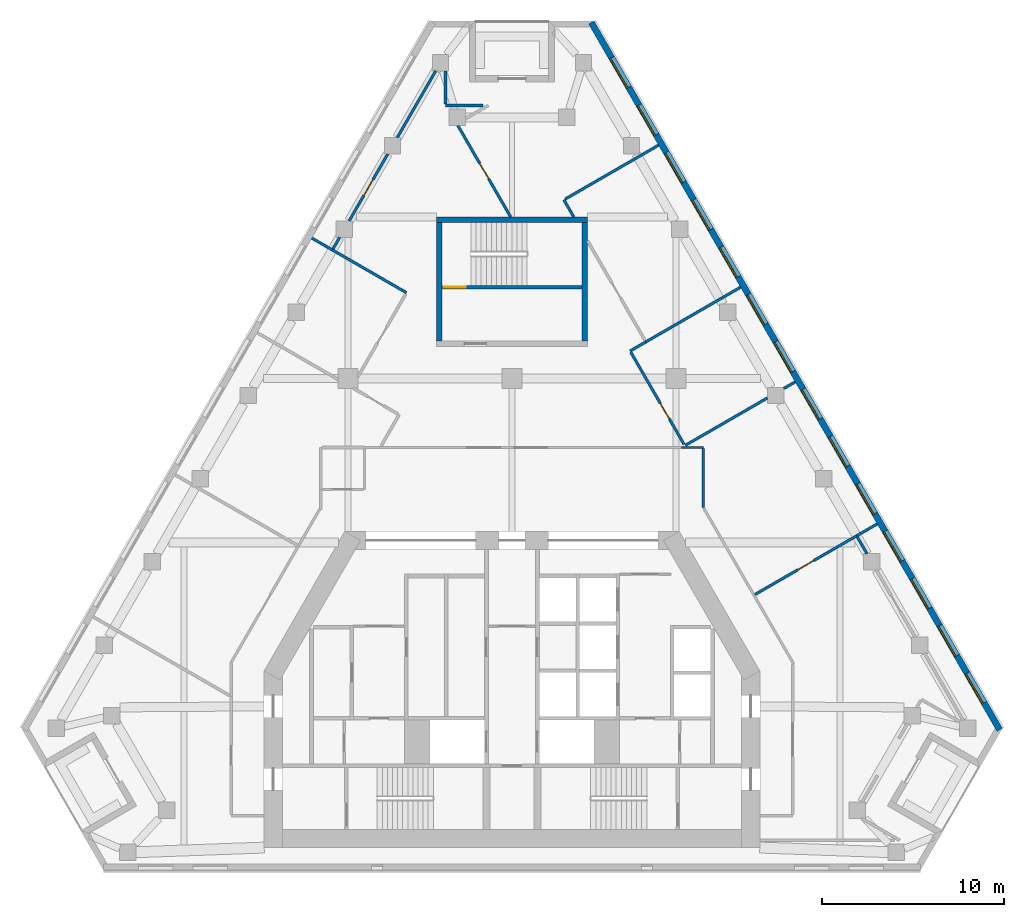
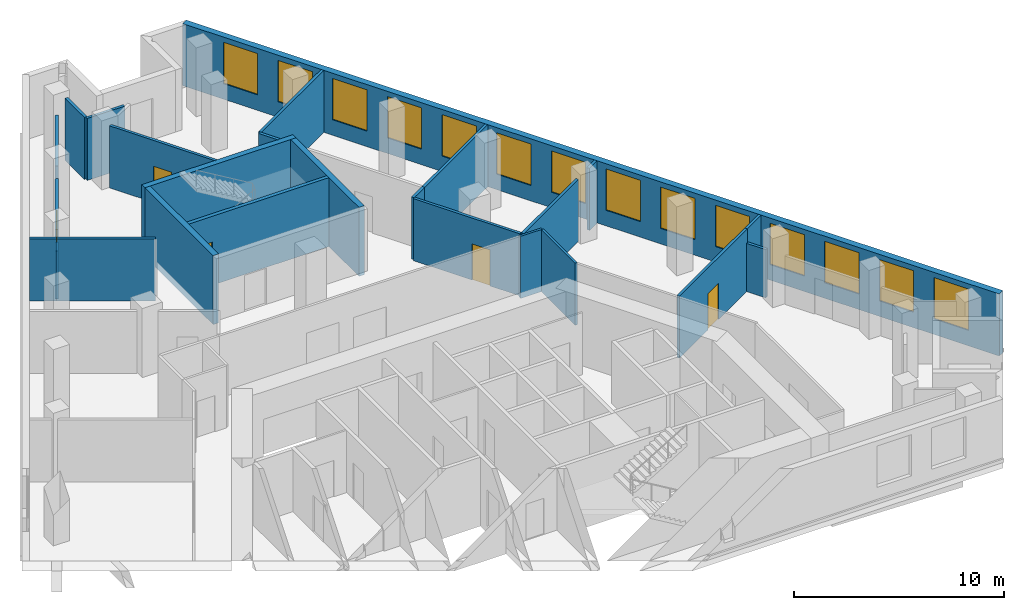
# One storey, part 6 of 8: 25 walls, 14 windows, 5 doors, 19 openings.
"""IFC4 building model written with IfcOpenShell, lengths in metres."""

from ifc_helpers import new_model, si_unit, direction, frame, frame_2d, origin, place, context, subcontext, project, spatial, rectangle, extrude, material, layer, layer_set, type_object, element, fill, save


model = new_model("IFC4")

# Units and contexts
model_context = context("Model", 3, precision=1e-05, world=origin(), true_north=direction((0.0, 1.0)))
body_context = subcontext(model_context, "Body", "Model", "MODEL_VIEW")
ifc_project = project(units=[si_unit("LENGTHUNIT", "METRE"), si_unit("AREAUNIT", "SQUARE_METRE"), si_unit("VOLUMEUNIT", "CUBIC_METRE"), si_unit("PLANEANGLEUNIT", "RADIAN"), si_unit("MASSUNIT", "GRAM", prefix="KILO")], contexts=[model_context])

# Site, building, storey
site_placement = place(None, origin())
site = spatial("IfcSite", under=ifc_project, at=site_placement, CompositionType="ELEMENT")
building_placement = place(site_placement, origin())
building = spatial("IfcBuilding", under=site, at=building_placement, Name="Fogline Exchange Tower", CompositionType="ELEMENT")
storey_placement = place(building_placement, frame((0.0, 0.0, 227.5)))
storey = spatial("IfcBuildingStorey", under=building, at=storey_placement, Name="L51", CompositionType="ELEMENT", Elevation=227.5)

# Wall, opening, door
ifc_material_1 = material(Name="Concrete C40", Category="concrete")
ifc_layer_1 = layer(ifc_material_1, 0.199951171875)
ifc_layer_set_1 = layer_set([ifc_layer_1], Name="CW20R")
wall_type_1 = type_object("IfcWallType", Name="CW20R", PredefinedType="SOLIDWALL", material=ifc_layer_set_1)
wall_1_placement = place(storey_placement, frame((-3.85009765625, 32.007080078125, -0.39990234375), z_axis=(0.0, 0.0, 1.0), x_axis=(1.0, 0.0, 0.0)))
wall_1 = element("IfcWall", 1, at=wall_1_placement, inside=storey, type_object=wall_type_1, Name="Stair enclosure wall ST3", PredefinedType="SOLIDWALL", context=body_context, shape_type="SweptSolid", body=[
    extrude(rectangle(XDim=7.7001953125, YDim=0.199951171875, at=frame_2d((3.85009765625, 0.0))), origin(), (0.0, 0.0, 1.0), 4.0),
])
opening_1_placement = place(wall_1_placement, frame((0.10009765625, 0.0, 0.39990234375)))
opening_1 = element("IfcOpeningElement", 2, at=opening_1_placement, cuts=wall_1, Name="Opening T16-C023", PredefinedType="OPENING", context=body_context, shape_type="SweptSolid", body=[
    extrude(rectangle(XDim=1.199951171875, YDim=2.10009765625, at=frame_2d((0.60009765625, 1.050048828125))), frame((0.0, 0.10986328125, 0.0), z_axis=(0.0, -1.0, 0.0), x_axis=(1.0, 0.0, 0.0)), (0.0, 0.0, 1.0), 0.219970703125),
])
ifc_material_2 = material(Name="Steel and timber fire door", Category="steel")
door_type_1 = type_object("IfcDoorType", Name="D-ST1", OperationType="SINGLE_SWING_LEFT", PredefinedType="DOOR", material=ifc_material_2)
door_1_placement = place(opening_1_placement, origin())
door_1 = element("IfcDoor", 3, at=door_1_placement, inside=storey, type_object=door_type_1, Name="Stair door ST3", OperationType="SINGLE_SWING_LEFT", OverallHeight=2.10009765625, OverallWidth=1.199951171875, PredefinedType="DOOR", context=body_context, shape_type="SweptSolid", body=[
    extrude(rectangle(XDim=1.199951171875, YDim=2.10009765625, at=frame_2d((0.60009765625, 1.050048828125))), frame((0.0, 0.02490234375, 0.0), z_axis=(0.0, -1.0, 0.0), x_axis=(1.0, 0.0, 0.0)), (0.0, 0.0, 1.0), 0.050048828125),
])
fill(opening_1, door_1)

# Walls
ifc_layer_2 = layer(ifc_material_1, 0.300048828125)
ifc_layer_set_2 = layer_set([ifc_layer_2], Name="CW30")
wall_type_2 = type_object("IfcWallType", Name="CW30", PredefinedType="SOLIDWALL", material=ifc_layer_set_2)
wall_2_placement = place(storey_placement, frame((-4.14990234375, 35.70703125, -0.39990234375), z_axis=(0.0, 0.0, 1.0), x_axis=(1.0, 0.0, 0.0)))
element("IfcWall", 4, at=wall_2_placement, inside=storey, type_object=wall_type_2, Name="Stair enclosure wall ST3", PredefinedType="SOLIDWALL", context=body_context, shape_type="SweptSolid", body=[
    extrude(rectangle(XDim=8.2998046875, YDim=0.300048828125, at=frame_2d((4.14990234375, 0.0))), origin(), (0.0, 0.0, 1.0), 4.0),
])
for number, where, z_axis, x_axis, name in (
    (5, (-4.0, 29.056884765625, -0.39990234375), (0.0, 0.0, 1.0), (0.0, 1.0, 0.0), "Stair enclosure wall ST3"),
    (6, (4.0, 29.056884765625, -0.39990234375), (0.0, 0.0, 1.0), (0.0, 1.0, 0.0), "Stair enclosure wall ST3"),
):
    element("IfcWall", number, at=place(storey_placement, frame(where, z_axis=z_axis, x_axis=x_axis)), inside=storey, type_object=wall_type_2, Name=name, PredefinedType="SOLIDWALL", context=body_context, shape_type="SweptSolid", body=[
        extrude(rectangle(XDim=6.5, YDim=0.300048828125, at=frame_2d((3.25, 0.0))), origin(), (0.0, 0.0, 1.0), 4.0),
    ])

# Wall, openings, windows
ifc_material_3 = material(Name="Brick masonry", Category="masonry")
ifc_layer_3 = layer(ifc_material_3, 0.340087890625)
ifc_layer_set_3 = layer_set([ifc_layer_3], Name="FW1")
wall_type_3 = type_object("IfcWallType", Name="FW1", PredefinedType="SOLIDWALL", material=ifc_layer_set_3)
wall_3_placement = place(storey_placement, frame((26.766845703125, 7.709228515625, 0.0), z_axis=(0.0, 0.0, 1.0), x_axis=(-0.499997926022, 0.866026601193, 0.0)))
wall_3 = element("IfcWall", 7, at=wall_3_placement, inside=storey, type_object=wall_type_3, Name="Brick wall L51 E", PredefinedType="SOLIDWALL", context=body_context, shape_type="SweptSolid", body=[
    extrude(rectangle(XDim=44.828369140625, YDim=0.340087890625, at=frame_2d((22.4140625, 0.0))), origin(), (0.0, 0.0, 1.0), 3.60009765625),
])
opening_2_placement = place(wall_3_placement, frame((1.70703125, 0.0, 0.89990234375)))
opening_2 = element("IfcOpeningElement", 8, at=opening_2_placement, cuts=wall_3, Name="Opening W1", PredefinedType="OPENING", context=body_context, shape_type="SweptSolid", body=[
    extrude(rectangle(XDim=1.885009765625, YDim=2.39990234375, at=frame_2d((0.9423828125, 1.199951171875))), frame((0.0, 0.18017578125, 0.0), z_axis=(0.0, -1.0, 0.0), x_axis=(1.0, 0.0, 0.0)), (0.0, 0.0, 1.0), 0.360107421875),
])
opening_3_placement = place(wall_3_placement, frame((4.70703125, 0.0, 0.89990234375)))
opening_3 = element("IfcOpeningElement", 9, at=opening_3_placement, cuts=wall_3, Name="Opening W1", PredefinedType="OPENING", context=body_context, shape_type="SweptSolid", body=[
    extrude(rectangle(XDim=1.885009765625, YDim=2.39990234375, at=frame_2d((0.9423828125, 1.199951171875))), frame((0.0, 0.18017578125, 0.0), z_axis=(0.0, -1.0, 0.0), x_axis=(1.0, 0.0, 0.0)), (0.0, 0.0, 1.0), 0.360107421875),
])
opening_4_placement = place(wall_3_placement, frame((7.70703125, 0.0, 0.89990234375)))
opening_4 = element("IfcOpeningElement", 10, at=opening_4_placement, cuts=wall_3, Name="Opening W1", PredefinedType="OPENING", context=body_context, shape_type="SweptSolid", body=[
    extrude(rectangle(XDim=1.885009765625, YDim=2.39990234375, at=frame_2d((0.9423828125, 1.199951171875))), frame((0.0, 0.18017578125, 0.0), z_axis=(0.0, -1.0, 0.0), x_axis=(1.0, 0.0, 0.0)), (0.0, 0.0, 1.0), 0.360107421875),
])
opening_5_placement = place(wall_3_placement, frame((10.70703125, 0.0, 0.89990234375)))
opening_5 = element("IfcOpeningElement", 11, at=opening_5_placement, cuts=wall_3, Name="Opening W1", PredefinedType="OPENING", context=body_context, shape_type="SweptSolid", body=[
    extrude(rectangle(XDim=1.885009765625, YDim=2.39990234375, at=frame_2d((0.9423828125, 1.199951171875))), frame((0.0, 0.18017578125, 0.0), z_axis=(0.0, -1.0, 0.0), x_axis=(1.0, 0.0, 0.0)), (0.0, 0.0, 1.0), 0.360107421875),
])
opening_6_placement = place(wall_3_placement, frame((13.70703125, 0.0, 0.89990234375)))
opening_6 = element("IfcOpeningElement", 12, at=opening_6_placement, cuts=wall_3, Name="Opening W1", PredefinedType="OPENING", context=body_context, shape_type="SweptSolid", body=[
    extrude(rectangle(XDim=1.885009765625, YDim=2.39990234375, at=frame_2d((0.9423828125, 1.199951171875))), frame((0.0, 0.18017578125, 0.0), z_axis=(0.0, -1.0, 0.0), x_axis=(1.0, 0.0, 0.0)), (0.0, 0.0, 1.0), 0.360107421875),
])
opening_7_placement = place(wall_3_placement, frame((16.70703125, 0.0, 0.89990234375)))
opening_7 = element("IfcOpeningElement", 13, at=opening_7_placement, cuts=wall_3, Name="Opening W1", PredefinedType="OPENING", context=body_context, shape_type="SweptSolid", body=[
    extrude(rectangle(XDim=1.885009765625, YDim=2.39990234375, at=frame_2d((0.9423828125, 1.199951171875))), frame((0.0, 0.18017578125, 0.0), z_axis=(0.0, -1.0, 0.0), x_axis=(1.0, 0.0, 0.0)), (0.0, 0.0, 1.0), 0.360107421875),
])
opening_8_placement = place(wall_3_placement, frame((19.70703125, 0.0, 0.89990234375)))
opening_8 = element("IfcOpeningElement", 14, at=opening_8_placement, cuts=wall_3, Name="Opening W1", PredefinedType="OPENING", context=body_context, shape_type="SweptSolid", body=[
    extrude(rectangle(XDim=1.885009765625, YDim=2.39990234375, at=frame_2d((0.9423828125, 1.199951171875))), frame((0.0, 0.18017578125, 0.0), z_axis=(0.0, -1.0, 0.0), x_axis=(1.0, 0.0, 0.0)), (0.0, 0.0, 1.0), 0.360107421875),
])
opening_9_placement = place(wall_3_placement, frame((22.70703125, 0.0, 0.89990234375)))
opening_9 = element("IfcOpeningElement", 15, at=opening_9_placement, cuts=wall_3, Name="Opening W1", PredefinedType="OPENING", context=body_context, shape_type="SweptSolid", body=[
    extrude(rectangle(XDim=1.885009765625, YDim=2.39990234375, at=frame_2d((0.9423828125, 1.199951171875))), frame((0.0, 0.18017578125, 0.0), z_axis=(0.0, -1.0, 0.0), x_axis=(1.0, 0.0, 0.0)), (0.0, 0.0, 1.0), 0.360107421875),
])
opening_10_placement = place(wall_3_placement, frame((25.70703125, 0.0, 0.89990234375)))
opening_10 = element("IfcOpeningElement", 16, at=opening_10_placement, cuts=wall_3, Name="Opening W1", PredefinedType="OPENING", context=body_context, shape_type="SweptSolid", body=[
    extrude(rectangle(XDim=1.885009765625, YDim=2.39990234375, at=frame_2d((0.9423828125, 1.199951171875))), frame((0.0, 0.18017578125, 0.0), z_axis=(0.0, -1.0, 0.0), x_axis=(1.0, 0.0, 0.0)), (0.0, 0.0, 1.0), 0.360107421875),
])
opening_11_placement = place(wall_3_placement, frame((28.70703125, 0.0, 0.89990234375)))
opening_11 = element("IfcOpeningElement", 17, at=opening_11_placement, cuts=wall_3, Name="Opening W1", PredefinedType="OPENING", context=body_context, shape_type="SweptSolid", body=[
    extrude(rectangle(XDim=1.885009765625, YDim=2.39990234375, at=frame_2d((0.9423828125, 1.199951171875))), frame((0.0, 0.18017578125, 0.0), z_axis=(0.0, -1.0, 0.0), x_axis=(1.0, 0.0, 0.0)), (0.0, 0.0, 1.0), 0.360107421875),
])
opening_12_placement = place(wall_3_placement, frame((31.70703125, 0.0, 0.89990234375)))
opening_12 = element("IfcOpeningElement", 18, at=opening_12_placement, cuts=wall_3, Name="Opening W1", PredefinedType="OPENING", context=body_context, shape_type="SweptSolid", body=[
    extrude(rectangle(XDim=1.885009765625, YDim=2.39990234375, at=frame_2d((0.9423828125, 1.199951171875))), frame((0.0, 0.18017578125, 0.0), z_axis=(0.0, -1.0, 0.0), x_axis=(1.0, 0.0, 0.0)), (0.0, 0.0, 1.0), 0.360107421875),
])
opening_13_placement = place(wall_3_placement, frame((34.70703125, 0.0, 0.89990234375)))
opening_13 = element("IfcOpeningElement", 19, at=opening_13_placement, cuts=wall_3, Name="Opening W1", PredefinedType="OPENING", context=body_context, shape_type="SweptSolid", body=[
    extrude(rectangle(XDim=1.885009765625, YDim=2.39990234375, at=frame_2d((0.9423828125, 1.199951171875))), frame((0.0, 0.18017578125, 0.0), z_axis=(0.0, -1.0, 0.0), x_axis=(1.0, 0.0, 0.0)), (0.0, 0.0, 1.0), 0.360107421875),
])
opening_14_placement = place(wall_3_placement, frame((37.70703125, 0.0, 0.89990234375)))
opening_14 = element("IfcOpeningElement", 20, at=opening_14_placement, cuts=wall_3, Name="Opening W1", PredefinedType="OPENING", context=body_context, shape_type="SweptSolid", body=[
    extrude(rectangle(XDim=1.885009765625, YDim=2.39990234375, at=frame_2d((0.9423828125, 1.199951171875))), frame((0.0, 0.18017578125, 0.0), z_axis=(0.0, -1.0, 0.0), x_axis=(1.0, 0.0, 0.0)), (0.0, 0.0, 1.0), 0.360107421875),
])
opening_15_placement = place(wall_3_placement, frame((40.70703125, 0.0, 0.89990234375)))
opening_15 = element("IfcOpeningElement", 21, at=opening_15_placement, cuts=wall_3, Name="Opening W1", PredefinedType="OPENING", context=body_context, shape_type="SweptSolid", body=[
    extrude(rectangle(XDim=1.885009765625, YDim=2.39990234375, at=frame_2d((0.9423828125, 1.199951171875))), frame((0.0, 0.18017578125, 0.0), z_axis=(0.0, -1.0, 0.0), x_axis=(1.0, 0.0, 0.0)), (0.0, 0.0, 1.0), 0.360107421875),
])
ifc_material_4 = material(Name="Aluminium and glass", Category="aluminium")
window_type = type_object("IfcWindowType", Name="W1", PartitioningType="SINGLE_PANEL", PredefinedType="WINDOW", material=ifc_material_4)
window_1_placement = place(opening_2_placement, origin())
window_1 = element("IfcWindow", 22, at=window_1_placement, inside=storey, type_object=window_type, Name="W1 W1", OverallHeight=2.39990234375, OverallWidth=1.885009765625, PartitioningType="SINGLE_PANEL", PredefinedType="WINDOW", context=body_context, shape_type="SweptSolid", body=[
    extrude(rectangle(XDim=1.885009765625, YDim=2.39990234375, at=frame_2d((0.9423828125, 1.199951171875))), frame((0.0, 0.110107421875, 0.0), z_axis=(0.0, -1.0, 0.0), x_axis=(1.0, 0.0, 0.0)), (0.0, 0.0, 1.0), 0.06005859375),
])
fill(opening_2, window_1)
window_2_placement = place(opening_3_placement, origin())
window_2 = element("IfcWindow", 23, at=window_2_placement, inside=storey, type_object=window_type, Name="W1 W1", OverallHeight=2.39990234375, OverallWidth=1.885009765625, PartitioningType="SINGLE_PANEL", PredefinedType="WINDOW", context=body_context, shape_type="SweptSolid", body=[
    extrude(rectangle(XDim=1.885009765625, YDim=2.39990234375, at=frame_2d((0.9423828125, 1.199951171875))), frame((0.0, 0.110107421875, 0.0), z_axis=(0.0, -1.0, 0.0), x_axis=(1.0, 0.0, 0.0)), (0.0, 0.0, 1.0), 0.06005859375),
])
fill(opening_3, window_2)
window_3_placement = place(opening_4_placement, origin())
window_3 = element("IfcWindow", 24, at=window_3_placement, inside=storey, type_object=window_type, Name="W1 W1", OverallHeight=2.39990234375, OverallWidth=1.885009765625, PartitioningType="SINGLE_PANEL", PredefinedType="WINDOW", context=body_context, shape_type="SweptSolid", body=[
    extrude(rectangle(XDim=1.885009765625, YDim=2.39990234375, at=frame_2d((0.9423828125, 1.199951171875))), frame((0.0, 0.110107421875, 0.0), z_axis=(0.0, -1.0, 0.0), x_axis=(1.0, 0.0, 0.0)), (0.0, 0.0, 1.0), 0.06005859375),
])
fill(opening_4, window_3)
window_4_placement = place(opening_5_placement, origin())
window_4 = element("IfcWindow", 25, at=window_4_placement, inside=storey, type_object=window_type, Name="W1 W1", OverallHeight=2.39990234375, OverallWidth=1.885009765625, PartitioningType="SINGLE_PANEL", PredefinedType="WINDOW", context=body_context, shape_type="SweptSolid", body=[
    extrude(rectangle(XDim=1.885009765625, YDim=2.39990234375, at=frame_2d((0.9423828125, 1.199951171875))), frame((0.0, 0.110107421875, 0.0), z_axis=(0.0, -1.0, 0.0), x_axis=(1.0, 0.0, 0.0)), (0.0, 0.0, 1.0), 0.06005859375),
])
fill(opening_5, window_4)
window_5_placement = place(opening_6_placement, origin())
window_5 = element("IfcWindow", 26, at=window_5_placement, inside=storey, type_object=window_type, Name="W1 W1", OverallHeight=2.39990234375, OverallWidth=1.885009765625, PartitioningType="SINGLE_PANEL", PredefinedType="WINDOW", context=body_context, shape_type="SweptSolid", body=[
    extrude(rectangle(XDim=1.885009765625, YDim=2.39990234375, at=frame_2d((0.9423828125, 1.199951171875))), frame((0.0, 0.110107421875, 0.0), z_axis=(0.0, -1.0, 0.0), x_axis=(1.0, 0.0, 0.0)), (0.0, 0.0, 1.0), 0.06005859375),
])
fill(opening_6, window_5)
window_6_placement = place(opening_7_placement, origin())
window_6 = element("IfcWindow", 27, at=window_6_placement, inside=storey, type_object=window_type, Name="W1 W1", OverallHeight=2.39990234375, OverallWidth=1.885009765625, PartitioningType="SINGLE_PANEL", PredefinedType="WINDOW", context=body_context, shape_type="SweptSolid", body=[
    extrude(rectangle(XDim=1.885009765625, YDim=2.39990234375, at=frame_2d((0.9423828125, 1.199951171875))), frame((0.0, 0.110107421875, 0.0), z_axis=(0.0, -1.0, 0.0), x_axis=(1.0, 0.0, 0.0)), (0.0, 0.0, 1.0), 0.06005859375),
])
fill(opening_7, window_6)
window_7_placement = place(opening_8_placement, origin())
window_7 = element("IfcWindow", 28, at=window_7_placement, inside=storey, type_object=window_type, Name="W1 W1", OverallHeight=2.39990234375, OverallWidth=1.885009765625, PartitioningType="SINGLE_PANEL", PredefinedType="WINDOW", context=body_context, shape_type="SweptSolid", body=[
    extrude(rectangle(XDim=1.885009765625, YDim=2.39990234375, at=frame_2d((0.9423828125, 1.199951171875))), frame((0.0, 0.110107421875, 0.0), z_axis=(0.0, -1.0, 0.0), x_axis=(1.0, 0.0, 0.0)), (0.0, 0.0, 1.0), 0.06005859375),
])
fill(opening_8, window_7)
window_8_placement = place(opening_9_placement, origin())
window_8 = element("IfcWindow", 29, at=window_8_placement, inside=storey, type_object=window_type, Name="W1 W1", OverallHeight=2.39990234375, OverallWidth=1.885009765625, PartitioningType="SINGLE_PANEL", PredefinedType="WINDOW", context=body_context, shape_type="SweptSolid", body=[
    extrude(rectangle(XDim=1.885009765625, YDim=2.39990234375, at=frame_2d((0.9423828125, 1.199951171875))), frame((0.0, 0.110107421875, 0.0), z_axis=(0.0, -1.0, 0.0), x_axis=(1.0, 0.0, 0.0)), (0.0, 0.0, 1.0), 0.06005859375),
])
fill(opening_9, window_8)
window_9_placement = place(opening_10_placement, origin())
window_9 = element("IfcWindow", 30, at=window_9_placement, inside=storey, type_object=window_type, Name="W1 W1", OverallHeight=2.39990234375, OverallWidth=1.885009765625, PartitioningType="SINGLE_PANEL", PredefinedType="WINDOW", context=body_context, shape_type="SweptSolid", body=[
    extrude(rectangle(XDim=1.885009765625, YDim=2.39990234375, at=frame_2d((0.9423828125, 1.199951171875))), frame((0.0, 0.110107421875, 0.0), z_axis=(0.0, -1.0, 0.0), x_axis=(1.0, 0.0, 0.0)), (0.0, 0.0, 1.0), 0.06005859375),
])
fill(opening_10, window_9)
window_10_placement = place(opening_11_placement, origin())
window_10 = element("IfcWindow", 31, at=window_10_placement, inside=storey, type_object=window_type, Name="W1 W1", OverallHeight=2.39990234375, OverallWidth=1.885009765625, PartitioningType="SINGLE_PANEL", PredefinedType="WINDOW", context=body_context, shape_type="SweptSolid", body=[
    extrude(rectangle(XDim=1.885009765625, YDim=2.39990234375, at=frame_2d((0.9423828125, 1.199951171875))), frame((0.0, 0.110107421875, 0.0), z_axis=(0.0, -1.0, 0.0), x_axis=(1.0, 0.0, 0.0)), (0.0, 0.0, 1.0), 0.06005859375),
])
fill(opening_11, window_10)
window_11_placement = place(opening_12_placement, origin())
window_11 = element("IfcWindow", 32, at=window_11_placement, inside=storey, type_object=window_type, Name="W1 W1", OverallHeight=2.39990234375, OverallWidth=1.885009765625, PartitioningType="SINGLE_PANEL", PredefinedType="WINDOW", context=body_context, shape_type="SweptSolid", body=[
    extrude(rectangle(XDim=1.885009765625, YDim=2.39990234375, at=frame_2d((0.9423828125, 1.199951171875))), frame((0.0, 0.110107421875, 0.0), z_axis=(0.0, -1.0, 0.0), x_axis=(1.0, 0.0, 0.0)), (0.0, 0.0, 1.0), 0.06005859375),
])
fill(opening_12, window_11)
window_12_placement = place(opening_13_placement, origin())
window_12 = element("IfcWindow", 33, at=window_12_placement, inside=storey, type_object=window_type, Name="W1 W1", OverallHeight=2.39990234375, OverallWidth=1.885009765625, PartitioningType="SINGLE_PANEL", PredefinedType="WINDOW", context=body_context, shape_type="SweptSolid", body=[
    extrude(rectangle(XDim=1.885009765625, YDim=2.39990234375, at=frame_2d((0.9423828125, 1.199951171875))), frame((0.0, 0.110107421875, 0.0), z_axis=(0.0, -1.0, 0.0), x_axis=(1.0, 0.0, 0.0)), (0.0, 0.0, 1.0), 0.06005859375),
])
fill(opening_13, window_12)
window_13_placement = place(opening_14_placement, origin())
window_13 = element("IfcWindow", 34, at=window_13_placement, inside=storey, type_object=window_type, Name="W1 W1", OverallHeight=2.39990234375, OverallWidth=1.885009765625, PartitioningType="SINGLE_PANEL", PredefinedType="WINDOW", context=body_context, shape_type="SweptSolid", body=[
    extrude(rectangle(XDim=1.885009765625, YDim=2.39990234375, at=frame_2d((0.9423828125, 1.199951171875))), frame((0.0, 0.110107421875, 0.0), z_axis=(0.0, -1.0, 0.0), x_axis=(1.0, 0.0, 0.0)), (0.0, 0.0, 1.0), 0.06005859375),
])
fill(opening_14, window_13)
window_14_placement = place(opening_15_placement, origin())
window_14 = element("IfcWindow", 35, at=window_14_placement, inside=storey, type_object=window_type, Name="W1 W1", OverallHeight=2.39990234375, OverallWidth=1.885009765625, PartitioningType="SINGLE_PANEL", PredefinedType="WINDOW", context=body_context, shape_type="SweptSolid", body=[
    extrude(rectangle(XDim=1.885009765625, YDim=2.39990234375, at=frame_2d((0.9423828125, 1.199951171875))), frame((0.0, 0.110107421875, 0.0), z_axis=(0.0, -1.0, 0.0), x_axis=(1.0, 0.0, 0.0)), (0.0, 0.0, 1.0), 0.06005859375),
])
fill(opening_15, window_14)

# Walls
ifc_material_5 = material(Name="Plasterboard corridor partition with mineral wool, 2 layers each side")
ifc_layer_4 = layer(ifc_material_5, 0.125)
ifc_layer_set_4 = layer_set([ifc_layer_4], Name="PW2")
wall_type_4 = type_object("IfcWallType", Name="PW2", PredefinedType="PARTITIONING", material=ifc_layer_set_4)
wall_4_placement = place(storey_placement, frame((9.298583984375, 23.199951171875, 0.0), z_axis=(0.0, 0.0, 1.0), x_axis=(1.0, 0.0, 0.0)))
element("IfcWall", 36, at=wall_4_placement, inside=storey, type_object=wall_type_4, Name="wall-L51-W005", PredefinedType="PARTITIONING", context=body_context, shape_type="SweptSolid", body=[
    extrude(rectangle(XDim=1.201416015625, YDim=0.125, at=frame_2d((0.6005859375, 0.0))), origin(), (0.0, 0.0, 1.0), 3.60009765625),
])
wall_5_placement = place(storey_placement, frame((10.5, 23.137451171875, 0.0), z_axis=(0.0, 0.0, 1.0), x_axis=(0.0, -1.0, 0.0)))
element("IfcWall", 37, at=wall_5_placement, inside=storey, type_object=wall_type_4, Name="wall-L51-W006", PredefinedType="PARTITIONING", context=body_context, shape_type="SweptSolid", body=[
    extrude(rectangle(XDim=3.22265625, YDim=0.125, at=frame_2d((1.611328125, 0.0))), origin(), (0.0, 0.0, 1.0), 3.60009765625),
])
ifc_material_6 = material(Name="Plasterboard demising partition with mineral wool and acoustic board")
ifc_layer_5 = layer(ifc_material_6, 0.14990234375)
ifc_layer_set_5 = layer_set([ifc_layer_5], Name="PW3")
wall_type_5 = type_object("IfcWallType", Name="PW3", PredefinedType="PARTITIONING", material=ifc_layer_set_5)
wall_6_placement = place(storey_placement, frame((9.519775390625, 23.32763671875, 0.0), z_axis=(0.0, 0.0, 1.0), x_axis=(0.866033762504, 0.499985521993, 0.0)))
element("IfcWall", 38, at=wall_6_placement, inside=storey, type_object=wall_type_5, Name="wall-L51-W017", PredefinedType="PARTITIONING", context=body_context, shape_type="SweptSolid", body=[
    extrude(rectangle(XDim=5.195068359375, YDim=0.14990234375, at=frame_2d((2.59765625, 0.0))), origin(), (0.0, 0.0, 1.0), 3.60009765625),
])
wall_7_placement = place(storey_placement, frame((14.918701171875, 26.444580078125, 0.0), z_axis=(0.0, 0.0, 1.0), x_axis=(0.865865073245, 0.500277597875, 0.0)))
element("IfcWall", 39, at=wall_7_placement, inside=storey, type_object=wall_type_5, Name="wall-L51-W018", PredefinedType="PARTITIONING", context=body_context, shape_type="SweptSolid", body=[
    extrude(rectangle(XDim=0.72314453125, YDim=0.14990234375, at=frame_2d((0.361572265625, 0.0))), origin(), (0.0, 0.0, 1.0), 3.60009765625),
])
wall_8_placement = place(storey_placement, frame((20.044921875, 19.01220703125, 0.0), z_axis=(0.0, 0.0, 1.0), x_axis=(-0.865989304205, -0.500062521093, 0.0)))
element("IfcWall", 40, at=wall_8_placement, inside=storey, type_object=wall_type_5, Name="wall-L51-W019", PredefinedType="PARTITIONING", context=body_context, shape_type="SweptSolid", body=[
    extrude(rectangle(XDim=1.304931640625, YDim=0.14990234375, at=frame_2d((0.65234375, 0.0))), origin(), (0.0, 0.0, 1.0), 3.60009765625),
])

# Wall, opening, door
wall_9_placement = place(storey_placement, frame((18.914794921875, 18.359619140625, 0.0), z_axis=(0.0, 0.0, 1.0), x_axis=(-0.866025414547, -0.499999981359, 0.0)))
wall_9 = element("IfcWall", 41, at=wall_9_placement, inside=storey, type_object=wall_type_5, Name="wall-L51-W020", PredefinedType="PARTITIONING", context=body_context, shape_type="SweptSolid", body=[
    extrude(rectangle(XDim=6.447265625, YDim=0.14990234375, at=frame_2d((3.2236328125, 0.0))), origin(), (0.0, 0.0, 1.0), 3.60009765625),
])
opening_16_placement = place(wall_9_placement, frame((2.7236328125, 0.0, 0.0)))
opening_16 = element("IfcOpeningElement", 42, at=opening_16_placement, cuts=wall_9, Name="Opening T16-D007", PredefinedType="OPENING", context=body_context, shape_type="SweptSolid", body=[
    extrude(rectangle(XDim=1.0, YDim=2.10009765625, at=frame_2d((0.5, 1.050048828125))), frame((0.0, 0.0849609375, 0.0), z_axis=(0.0, -1.0, 0.0), x_axis=(1.0, 0.0, 0.0)), (0.0, 0.0, 1.0), 0.169921875),
])
ifc_material_7 = material(Name="Fire-rated timber door leaf with steel frame", Category="steel")
door_type_2 = type_object("IfcDoorType", Name="D3", OperationType="SINGLE_SWING_LEFT", PredefinedType="DOOR", material=ifc_material_7)
door_2_placement = place(opening_16_placement, frame((1.0, 0.0, 0.0), z_axis=(0.0, 0.0, 1.0), x_axis=(-1.0, 0.0, 0.0)))
door_2 = element("IfcDoor", 43, at=door_2_placement, inside=storey, type_object=door_type_2, Name="door-L51-D007", OperationType="SINGLE_SWING_RIGHT", OverallHeight=2.10009765625, OverallWidth=1.0, PredefinedType="DOOR", context=body_context, shape_type="SweptSolid", body=[
    extrude(rectangle(XDim=1.0, YDim=2.10009765625, at=frame_2d((0.5, 1.050048828125))), frame((0.0, 0.02490234375, 0.0), z_axis=(0.0, -1.0, 0.0), x_axis=(1.0, 0.0, 0.0)), (0.0, 0.0, 1.0), 0.050048828125),
])
fill(opening_16, door_2)

# Wall
wall_10_placement = place(storey_placement, frame((7.348876953125, 29.00244140625, 0.0), z_axis=(0.0, 0.0, 1.0), x_axis=(0.866020924479, 0.500007758305, 0.0)))
element("IfcWall", 44, at=wall_10_placement, inside=storey, type_object=wall_type_5, Name="wall-L51-W021", PredefinedType="PARTITIONING", context=body_context, shape_type="SweptSolid", body=[
    extrude(rectangle(XDim=6.0, YDim=0.14990234375, at=frame_2d((3.0, 0.0))), origin(), (0.0, 0.0, 1.0), 3.60009765625),
])

# Wall, opening, door
wall_11_placement = place(storey_placement, frame((9.4453125, 23.371337890625, 0.0), z_axis=(0.0, 0.0, 1.0), x_axis=(-0.500012662943, 0.866018092707, 0.0)))
wall_11 = element("IfcWall", 45, at=wall_11_placement, inside=storey, type_object=wall_type_5, Name="wall-L51-W022", PredefinedType="PARTITIONING", context=body_context, shape_type="SweptSolid", body=[
    extrude(rectangle(XDim=5.849853515625, YDim=0.14990234375, at=frame_2d((2.9248046875, 0.0))), origin(), (0.0, 0.0, 1.0), 3.60009765625),
])
opening_17_placement = place(wall_11_placement, frame((1.634033203125, 0.0, 0.0)))
opening_17 = element("IfcOpeningElement", 46, at=opening_17_placement, cuts=wall_11, Name="Opening T16-D008", PredefinedType="OPENING", context=body_context, shape_type="SweptSolid", body=[
    extrude(rectangle(XDim=1.0, YDim=2.10009765625, at=frame_2d((0.5, 1.050048828125))), frame((0.0, 0.0849609375, 0.0), z_axis=(0.0, -1.0, 0.0), x_axis=(1.0, 0.0, 0.0)), (0.0, 0.0, 1.0), 0.169921875),
])
door_3_placement = place(opening_17_placement, frame((1.0, 0.0, 0.0), z_axis=(0.0, 0.0, 1.0), x_axis=(-1.0, 0.0, 0.0)))
door_3 = element("IfcDoor", 47, at=door_3_placement, inside=storey, type_object=door_type_2, Name="door-L51-D008", OperationType="SINGLE_SWING_RIGHT", OverallHeight=2.10009765625, OverallWidth=1.0, PredefinedType="DOOR", context=body_context, shape_type="SweptSolid", body=[
    extrude(rectangle(XDim=1.0, YDim=2.10009765625, at=frame_2d((0.5, 1.050048828125))), frame((0.0, 0.02490234375, 0.0), z_axis=(0.0, -1.0, 0.0), x_axis=(1.0, 0.0, 0.0)), (0.0, 0.0, 1.0), 0.050048828125),
])
fill(opening_17, door_3)

# Walls
wall_12_placement = place(storey_placement, frame((6.482666015625, 28.50244140625, 0.0), z_axis=(0.0, 0.0, 1.0), x_axis=(0.866071776036, 0.499919672301, 0.0)))
element("IfcWall", 48, at=wall_12_placement, inside=storey, type_object=wall_type_5, Name="wall-L51-W023", PredefinedType="PARTITIONING", context=body_context, shape_type="SweptSolid", body=[
    extrude(rectangle(XDim=1.000244140625, YDim=0.14990234375, at=frame_2d((0.5, 0.0))), origin(), (0.0, 0.0, 1.0), 3.60009765625),
])
wall_13_placement = place(storey_placement, frame((3.391357421875, 35.85693359375, 0.0), z_axis=(0.0, 0.0, 1.0), x_axis=(-0.499962673433, 0.866046953215, 0.0)))
element("IfcWall", 49, at=wall_13_placement, inside=storey, type_object=wall_type_5, Name="wall-L51-W024", PredefinedType="PARTITIONING", context=body_context, shape_type="SweptSolid", body=[
    extrude(rectangle(XDim=1.0849609375, YDim=0.14990234375, at=frame_2d((0.54248046875, 0.0))), origin(), (0.0, 0.0, 1.0), 3.60009765625),
])
wall_14_placement = place(storey_placement, frame((2.913818359375, 36.834228515625, 0.0), z_axis=(0.0, 0.0, 1.0), x_axis=(0.866028447878, 0.499994727438, 0.0)))
element("IfcWall", 50, at=wall_14_placement, inside=storey, type_object=wall_type_5, Name="wall-L51-W025", PredefinedType="PARTITIONING", context=body_context, shape_type="SweptSolid", body=[
    extrude(rectangle(XDim=5.9248046875, YDim=0.14990234375, at=frame_2d((2.96240234375, 0.0))), origin(), (0.0, 0.0, 1.0), 3.60009765625),
])

# Wall, opening, door
wall_15_placement = place(storey_placement, frame((-0.07275390625, 35.85693359375, 0.0), z_axis=(0.0, 0.0, 1.0), x_axis=(-0.500003194204, 0.866023559602, 0.0)))
wall_15 = element("IfcWall", 51, at=wall_15_placement, inside=storey, type_object=wall_type_5, Name="wall-L51-W027", PredefinedType="PARTITIONING", context=body_context, shape_type="SweptSolid", body=[
    extrude(rectangle(XDim=5.79638671875, YDim=0.14990234375, at=frame_2d((2.898193359375, 0.0))), origin(), (0.0, 0.0, 1.0), 3.60009765625),
])
opening_18_placement = place(wall_15_placement, frame((2.398193359375, 0.0, 0.0)))
opening_18 = element("IfcOpeningElement", 52, at=opening_18_placement, cuts=wall_15, Name="Opening T16-D010", PredefinedType="OPENING", context=body_context, shape_type="SweptSolid", body=[
    extrude(rectangle(XDim=1.0, YDim=2.10009765625, at=frame_2d((0.5, 1.050048828125))), frame((0.0, 0.0849609375, 0.0), z_axis=(0.0, -1.0, 0.0), x_axis=(1.0, 0.0, 0.0)), (0.0, 0.0, 1.0), 0.169921875),
])
door_4_placement = place(opening_18_placement, frame((1.0, 0.0, 0.0), z_axis=(0.0, 0.0, 1.0), x_axis=(-1.0, 0.0, 0.0)))
door_4 = element("IfcDoor", 53, at=door_4_placement, inside=storey, type_object=door_type_2, Name="door-L51-D010", OperationType="SINGLE_SWING_RIGHT", OverallHeight=2.10009765625, OverallWidth=1.0, PredefinedType="DOOR", context=body_context, shape_type="SweptSolid", body=[
    extrude(rectangle(XDim=1.0, YDim=2.10009765625, at=frame_2d((0.5, 1.050048828125))), frame((0.0, 0.02490234375, 0.0), z_axis=(0.0, -1.0, 0.0), x_axis=(1.0, 0.0, 0.0)), (0.0, 0.0, 1.0), 0.050048828125),
])
fill(opening_18, door_4)

# Wall
wall_16_placement = place(storey_placement, frame((-9.819580078125, 34.112548828125, 0.0), z_axis=(0.0, 0.0, 1.0), x_axis=(0.500031897912, 0.866006986733, 0.0)))
element("IfcWall", 54, at=wall_16_placement, inside=storey, type_object=wall_type_5, Name="wall-L51-W029", PredefinedType="PARTITIONING", context=body_context, shape_type="SweptSolid", body=[
    extrude(rectangle(XDim=0.728515625, YDim=0.14990234375, at=frame_2d((0.3642578125, 0.0))), origin(), (0.0, 0.0, 1.0), 2.800048828125),
])

# Wall, opening, door
wall_17_placement = place(storey_placement, frame((-8.935791015625, 35.6435546875, 0.0), z_axis=(0.0, 0.0, 1.0), x_axis=(0.500015295222, 0.866016572904, 0.0)))
wall_17 = element("IfcWall", 55, at=wall_17_placement, inside=storey, type_object=wall_type_5, Name="wall-L51-W030", PredefinedType="PARTITIONING", context=body_context, shape_type="SweptSolid", body=[
    extrude(rectangle(XDim=4.233642578125, YDim=0.14990234375, at=frame_2d((2.11669921875, 0.0))), origin(), (0.0, 0.0, 1.0), 2.800048828125),
])
opening_19_placement = place(wall_17_placement, frame((1.616943359375, 0.0, 0.0)))
opening_19 = element("IfcOpeningElement", 56, at=opening_19_placement, cuts=wall_17, Name="Opening T16-D011", PredefinedType="OPENING", context=body_context, shape_type="SweptSolid", body=[
    extrude(rectangle(XDim=1.0, YDim=2.10009765625, at=frame_2d((0.5, 1.050048828125))), frame((0.0, 0.0849609375, 0.0), z_axis=(0.0, -1.0, 0.0), x_axis=(1.0, 0.0, 0.0)), (0.0, 0.0, 1.0), 0.169921875),
])
door_5_placement = place(opening_19_placement, origin())
door_5 = element("IfcDoor", 57, at=door_5_placement, inside=storey, type_object=door_type_2, Name="door-L51-D011", OperationType="SINGLE_SWING_RIGHT", OverallHeight=2.10009765625, OverallWidth=1.0, PredefinedType="DOOR", context=body_context, shape_type="SweptSolid", body=[
    extrude(rectangle(XDim=1.0, YDim=2.10009765625, at=frame_2d((0.5, 1.050048828125))), frame((0.0, 0.02490234375, 0.0), z_axis=(0.0, -1.0, 0.0), x_axis=(1.0, 0.0, 0.0)), (0.0, 0.0, 1.0), 0.050048828125),
])
fill(opening_19, door_5)

# Walls
wall_18_placement = place(storey_placement, frame((-6.29931640625, 40.210205078125, 0.0), z_axis=(0.0, 0.0, 1.0), x_axis=(0.499972045304, 0.866041542834, 0.0)))
element("IfcWall", 58, at=wall_18_placement, inside=storey, type_object=wall_type_5, Name="wall-L51-W031", PredefinedType="PARTITIONING", context=body_context, shape_type="SweptSolid", body=[
    extrude(rectangle(XDim=4.233642578125, YDim=0.14990234375, at=frame_2d((2.11669921875, 0.0))), origin(), (0.0, 0.0, 1.0), 2.800048828125),
])
wall_19_placement = place(storey_placement, frame((-3.64501953125, 43.876708984375, 0.0), z_axis=(0.0, 0.0, 1.0), x_axis=(0.0, -1.0, 0.0)))
element("IfcWall", 59, at=wall_19_placement, inside=storey, type_object=wall_type_5, Name="wall-L51-W032", PredefinedType="PARTITIONING", context=body_context, shape_type="SweptSolid", body=[
    extrude(rectangle(XDim=1.830078125, YDim=0.14990234375, at=frame_2d((0.9150390625, 0.0))), origin(), (0.0, 0.0, 1.0), 3.60009765625),
])
wall_20_placement = place(storey_placement, frame((-3.64501953125, 41.9716796875, 0.0), z_axis=(0.0, 0.0, 1.0), x_axis=(1.0, 0.0, 0.0)))
element("IfcWall", 60, at=wall_20_placement, inside=storey, type_object=wall_type_5, Name="wall-L51-W033", PredefinedType="PARTITIONING", context=body_context, shape_type="SweptSolid", body=[
    extrude(rectangle(XDim=2.055419921875, YDim=0.14990234375, at=frame_2d((1.02783203125, 0.0))), origin(), (0.0, 0.0, 1.0), 3.60009765625),
])
wall_21_placement = place(storey_placement, frame((-5.791259765625, 31.7001953125, 0.0), z_axis=(0.0, 0.0, 1.0), x_axis=(-0.866029713168, 0.499992535854, 0.0)))
element("IfcWall", 61, at=wall_21_placement, inside=storey, type_object=wall_type_5, Name="wall-L51-W035", PredefinedType="PARTITIONING", context=body_context, shape_type="SweptSolid", body=[
    extrude(rectangle(XDim=4.69482421875, YDim=0.14990234375, at=frame_2d((2.347412109375, 0.0))), origin(), (0.0, 0.0, 1.0), 3.60009765625),
])
wall_22_placement = place(storey_placement, frame((-9.857177734375, 34.047607421875, 0.0), z_axis=(0.0, 0.0, 1.0), x_axis=(-0.865989304205, 0.500062521093, 0.0)))
element("IfcWall", 62, at=wall_22_placement, inside=storey, type_object=wall_type_5, Name="wall-L51-W038", PredefinedType="PARTITIONING", context=body_context, shape_type="SweptSolid", body=[
    extrude(rectangle(XDim=1.304931640625, YDim=0.14990234375, at=frame_2d((0.65234375, 0.0))), origin(), (0.0, 0.0, 1.0), 3.60009765625),
])
wall_23_placement = place(storey_placement, frame((19.481689453125, 17.377197265625, 0.0), z_axis=(0.0, 0.0, 1.0), x_axis=(-0.499882057835, 0.866093487018, 0.0)))
element("IfcWall", 63, at=wall_23_placement, inside=storey, type_object=wall_type_5, Name="wall-L51-W053", PredefinedType="PARTITIONING", context=body_context, shape_type="SweptSolid", body=[
    extrude(rectangle(XDim=1.059326171875, YDim=0.14990234375, at=frame_2d((0.52978515625, 0.0))), origin(), (0.0, 0.0, 1.0), 2.800048828125),
])

save(model, "model.ifc")
